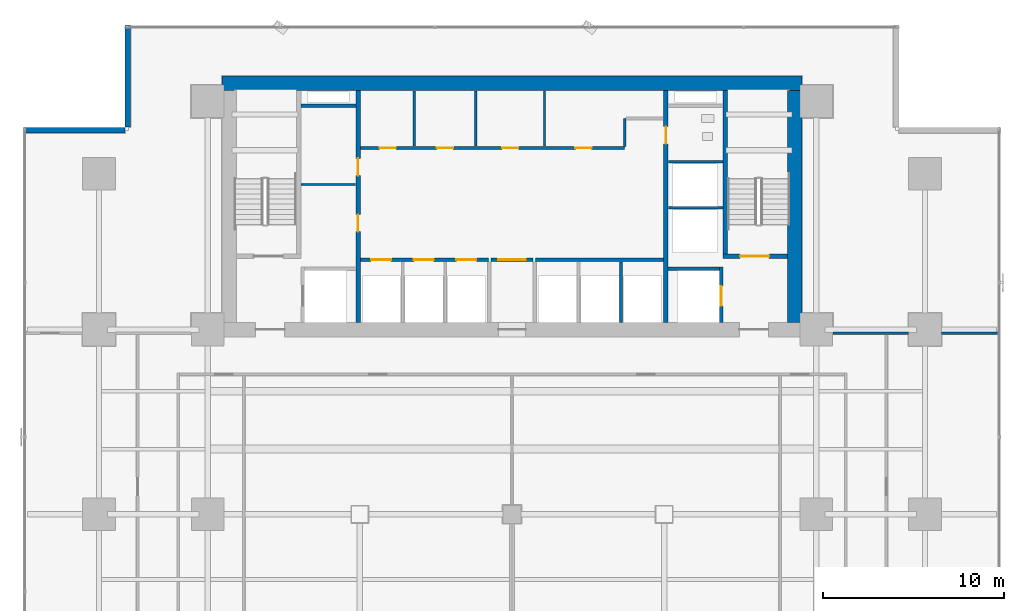
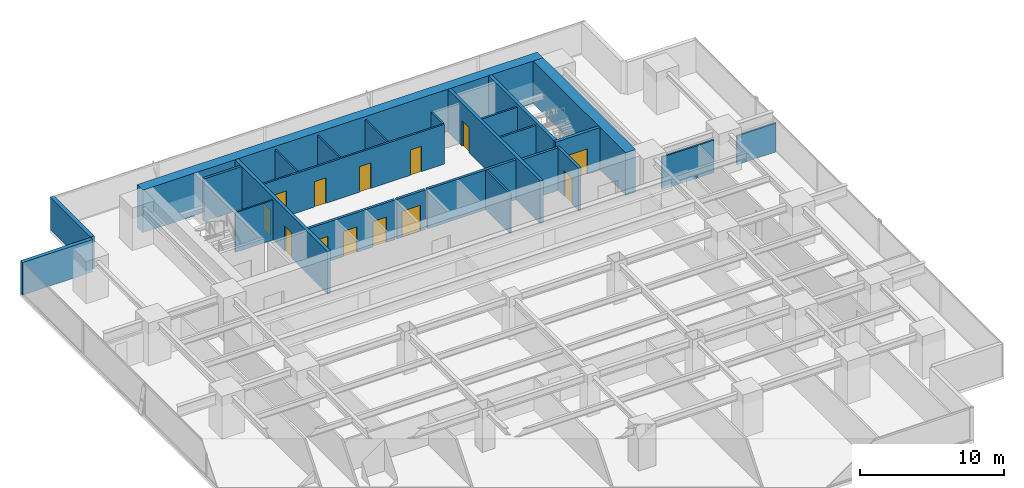
# One storey, part 26 of 34: 25 walls, 13 doors, 13 openings.
"""IFC4 building model written with IfcOpenShell, lengths in metres."""

from ifc_helpers import new_model, si_unit, direction, frame, frame_2d, origin, place, context, subcontext, project, spatial, rectangle, extrude, source, transform, mapped, material, layer, layer_set, type_object, element, fill, save


model = new_model("IFC4")

# Units and contexts
model_context = context("Model", 3, precision=1e-05, world=origin(), true_north=direction((0.0, 1.0)))
body_context = subcontext(model_context, "Body", "Model", "MODEL_VIEW")
ifc_project = project(units=[si_unit("LENGTHUNIT", "METRE"), si_unit("AREAUNIT", "SQUARE_METRE"), si_unit("VOLUMEUNIT", "CUBIC_METRE"), si_unit("PLANEANGLEUNIT", "RADIAN"), si_unit("MASSUNIT", "GRAM", prefix="KILO")], contexts=[model_context])

# Site, building, storey
site_placement = place(None, origin())
site = spatial("IfcSite", under=ifc_project, at=site_placement, CompositionType="ELEMENT")
building_placement = place(site_placement, origin())
building = spatial("IfcBuilding", under=site, at=building_placement, Name="Sumidabori Civic Tower", CompositionType="ELEMENT")
storey_placement = place(building_placement, frame((0.0, 0.0, 41.60009765625)))
storey = spatial("IfcBuildingStorey", under=building, at=storey_placement, Name="L10", CompositionType="ELEMENT", Elevation=41.60009765625)

# Walls
ifc_material_1 = material(Name="Concrete C60/75", Category="concrete")
ifc_layer_1 = layer(ifc_material_1, 0.800048828125, Name="Concrete C60/75")
ifc_layer_set_1 = layer_set([ifc_layer_1], Name="Concrete C60/75")
wall_type_1 = type_object("IfcWallType", Name="WL-CORE-800", PredefinedType="SHEAR", material=ifc_layer_set_1)
shared_shape_1 = source(origin(), body_context, "Body", "SweptSolid", [
    extrude(rectangle(XDim=32.0, YDim=0.800048828125, at=frame_2d((16.0, 0.0))), origin(), (0.0, 0.0, 1.0), 3.599853515625),
])
wall_1_placement = place(storey_placement, frame((-16.0, 23.800048828125, 0.0), z_axis=(0.0, 0.0, 1.0), x_axis=(1.0, 0.0, 0.0)))
element("IfcWall", 1, at=wall_1_placement, inside=storey, type_object=wall_type_1, Name="Core Shear Wall L10 N", PredefinedType="SHEAR", context=body_context, shape_type="MappedRepresentation", body=[
    mapped(shared_shape_1, transform((0.0, 0.0, 0.0), x_axis=(1.0, 0.0, 0.0), y_axis=(0.0, 1.0, 0.0), z_axis=(0.0, 0.0, 1.0), scale=1.0)),
])
shared_shape_2 = source(origin(), body_context, "Body", "SweptSolid", [
    extrude(rectangle(XDim=12.7998046875, YDim=0.800048828125, at=frame_2d((6.39990234375, 0.0))), origin(), (0.0, 0.0, 1.0), 3.599853515625),
])
wall_2_placement = place(storey_placement, frame((15.60009765625, 10.60009765625, 0.0), z_axis=(0.0, 0.0, 1.0), x_axis=(0.0, 1.0, 0.0)))
element("IfcWall", 2, at=wall_2_placement, inside=storey, type_object=wall_type_1, Name="Core Shear Wall L10 E", PredefinedType="SHEAR", context=body_context, shape_type="MappedRepresentation", body=[
    mapped(shared_shape_2, transform((0.0, 0.0, 0.0), x_axis=(1.0, 0.0, 0.0), y_axis=(0.0, 1.0, 0.0), z_axis=(0.0, 0.0, 1.0), scale=1.0)),
])

# Wall, openings, doors
ifc_material_2 = material(Name="Concrete C50/60", Category="concrete")
ifc_layer_2 = layer(ifc_material_2, 0.25, Name="Concrete C50/60")
ifc_layer_set_2 = layer_set([ifc_layer_2], Name="Concrete C50/60")
wall_type_2 = type_object("IfcWallType", Name="WL-SHAFT-250", PredefinedType="SHEAR", material=ifc_layer_set_2)
shared_shape_3 = source(origin(), body_context, "Body", "SweptSolid", [
    extrude(rectangle(XDim=12.7998046875, YDim=0.25, at=frame_2d((6.39990234375, 0.0))), origin(), (0.0, 0.0, 1.0), 3.599853515625),
])
wall_3_placement = place(storey_placement, frame((-8.5, 10.60009765625, 0.0), z_axis=(0.0, 0.0, 1.0), x_axis=(0.0, 1.0, 0.0)))
wall_3 = element("IfcWall", 3, at=wall_3_placement, inside=storey, type_object=wall_type_2, Name="Core Shear Wall L10 WEB-W", PredefinedType="SHEAR", context=body_context, shape_type="MappedRepresentation", body=[
    mapped(shared_shape_3, transform((0.0, 0.0, 0.0), x_axis=(1.0, 0.0, 0.0), y_axis=(0.0, 1.0, 0.0), z_axis=(0.0, 0.0, 1.0), scale=1.0)),
])
opening_1_placement = place(wall_3_placement, frame((5.0, 0.0, 0.0)))
opening_1 = element("IfcOpeningElement", 4, at=opening_1_placement, cuts=wall_3, Name="Opening DR-FD2", PredefinedType="OPENING", context=body_context, shape_type="SweptSolid", body=[
    extrude(rectangle(XDim=0.949951171875, YDim=2.14990234375, at=frame_2d((0.47509765625, 1.074951171875))), frame((0.0, 0.136962890625, 0.0), z_axis=(0.0, -1.0, 0.0), x_axis=(1.0, 0.0, 0.0)), (0.0, 0.0, 1.0), 0.27392578125),
])
opening_2_placement = place(wall_3_placement, frame((8.10009765625, 0.0, 0.0)))
opening_2 = element("IfcOpeningElement", 5, at=opening_2_placement, cuts=wall_3, Name="Opening DR-FD2", PredefinedType="OPENING", context=body_context, shape_type="SweptSolid", body=[
    extrude(rectangle(XDim=0.949951171875, YDim=2.14990234375, at=frame_2d((0.47509765625, 1.074951171875))), frame((0.0, 0.136962890625, 0.0), z_axis=(0.0, -1.0, 0.0), x_axis=(1.0, 0.0, 0.0)), (0.0, 0.0, 1.0), 0.27392578125),
])
ifc_material_3 = material(Name="Steel SN490", Category="steel")
door_type_1 = type_object("IfcDoorType", Name="DR-FD2", OperationType="NOTDEFINED", PredefinedType="DOOR", material=ifc_material_3)
shared_shape_4 = source(origin(), body_context, "Body", "SweptSolid", [
    extrude(rectangle(XDim=0.949951171875, YDim=2.14990234375, at=frame_2d((0.47509765625, 1.074951171875))), frame((0.0, 0.02490234375, 0.0), z_axis=(0.0, -1.0, 0.0), x_axis=(1.0, 0.0, 0.0)), (0.0, 0.0, 1.0), 0.050048828125),
])
door_1_placement = place(opening_1_placement, origin())
door_1 = element("IfcDoor", 6, at=door_1_placement, inside=storey, type_object=door_type_1, Name="Door DR:L10:CW-S1", OperationType="SINGLE_SWING_LEFT", OverallHeight=2.14990234375, OverallWidth=0.949951171875, PredefinedType="DOOR", context=body_context, shape_type="MappedRepresentation", body=[
    mapped(shared_shape_4, transform((0.0, 0.0, 0.0), x_axis=(1.0, 0.0, 0.0), y_axis=(0.0, 1.0, 0.0), z_axis=(0.0, 0.0, 1.0), scale=1.0)),
])
fill(opening_1, door_1)
door_2_placement = place(opening_2_placement, origin())
door_2 = element("IfcDoor", 7, at=door_2_placement, inside=storey, type_object=door_type_1, Name="Door DR:L10:CW-S2", OperationType="SINGLE_SWING_RIGHT", OverallHeight=2.14990234375, OverallWidth=0.949951171875, PredefinedType="DOOR", context=body_context, shape_type="MappedRepresentation", body=[
    mapped(shared_shape_4, transform((0.0, 0.0, 0.0), x_axis=(1.0, 0.0, 0.0), y_axis=(0.0, 1.0, 0.0), z_axis=(0.0, 0.0, 1.0), scale=1.0)),
])
fill(opening_2, door_2)

# Wall, opening, door
wall_4_placement = place(storey_placement, frame((8.5, 10.60009765625, 0.0), z_axis=(0.0, 0.0, 1.0), x_axis=(0.0, 1.0, 0.0)))
wall_4 = element("IfcWall", 8, at=wall_4_placement, inside=storey, type_object=wall_type_2, Name="Core Shear Wall L10 WEB-E", PredefinedType="SHEAR", context=body_context, shape_type="MappedRepresentation", body=[
    mapped(shared_shape_3, transform((0.0, 0.0, 0.0), x_axis=(1.0, 0.0, 0.0), y_axis=(0.0, 1.0, 0.0), z_axis=(0.0, 0.0, 1.0), scale=1.0)),
])
opening_3_placement = place(wall_4_placement, frame((9.85009765625, 0.0, 0.0)))
opening_3 = element("IfcOpeningElement", 9, at=opening_3_placement, cuts=wall_4, Name="Opening DR-2", PredefinedType="OPENING", context=body_context, shape_type="SweptSolid", body=[
    extrude(rectangle(XDim=0.949951171875, YDim=2.14990234375, at=frame_2d((0.47509765625, 1.074951171875))), frame((0.0, 0.136962890625, 0.0), z_axis=(0.0, -1.0, 0.0), x_axis=(1.0, 0.0, 0.0)), (0.0, 0.0, 1.0), 0.27392578125),
])
ifc_material_4 = material(Name="Japanese Hinoki Timber", Category="wood")
door_type_2 = type_object("IfcDoorType", Name="DR-INT-950", OperationType="NOTDEFINED", PredefinedType="DOOR", material=ifc_material_4)
shared_shape_5 = source(origin(), body_context, "Body", "SweptSolid", [
    extrude(rectangle(XDim=0.949951171875, YDim=2.14990234375, at=frame_2d((0.47509765625, 1.074951171875))), frame((0.0, 0.02490234375, 0.0), z_axis=(0.0, -1.0, 0.0), x_axis=(1.0, 0.0, 0.0)), (0.0, 0.0, 1.0), 0.050048828125),
])
door_3_placement = place(opening_3_placement, origin())
door_3 = element("IfcDoor", 10, at=door_3_placement, inside=storey, type_object=door_type_2, Name="Door DR:L10:WC-ACC", OperationType="SINGLE_SWING_RIGHT", OverallHeight=2.14990234375, OverallWidth=0.949951171875, PredefinedType="DOOR", context=body_context, shape_type="MappedRepresentation", body=[
    mapped(shared_shape_5, transform((0.0, 0.0, 0.0), x_axis=(1.0, 0.0, 0.0), y_axis=(0.0, 1.0, 0.0), z_axis=(0.0, 0.0, 1.0), scale=1.0)),
])
fill(opening_3, door_3)

shared_shape_6 = source(origin(), body_context, "Body", "SweptSolid", [
    extrude(rectangle(XDim=3.554931640625, YDim=0.25, at=frame_2d((1.77734375, 0.0))), origin(), (0.0, 0.0, 1.0), 3.599853515625),
])
wall_5_placement = place(storey_placement, frame((11.64501953125, 14.25, 0.0), z_axis=(0.0, 0.0, 1.0), x_axis=(1.0, 0.0, 0.0)))
wall_5 = element("IfcWall", 11, at=wall_5_placement, inside=storey, type_object=wall_type_2, Name="Core Shear Wall L10 ST2-S", PredefinedType="SHEAR", context=body_context, shape_type="MappedRepresentation", body=[
    mapped(shared_shape_6, transform((0.0, 0.0, 0.0), x_axis=(1.0, 0.0, 0.0), y_axis=(0.0, 1.0, 0.0), z_axis=(0.0, 0.0, 1.0), scale=1.0)),
])
opening_4_placement = place(wall_5_placement, frame((0.949951171875, 0.0, 0.0)))
opening_4 = element("IfcOpeningElement", 12, at=opening_4_placement, cuts=wall_5, Name="Opening DR-FD4", PredefinedType="OPENING", context=body_context, shape_type="SweptSolid", body=[
    extrude(rectangle(XDim=1.60009765625, YDim=2.14990234375, at=frame_2d((0.800048828125, 1.074951171875))), frame((0.0, 0.136962890625, 0.0), z_axis=(0.0, -1.0, 0.0), x_axis=(1.0, 0.0, 0.0)), (0.0, 0.0, 1.0), 0.27392578125),
])
door_type_3 = type_object("IfcDoorType", Name="DR-FD4", OperationType="DOUBLE_DOOR_SINGLE_SWING", PredefinedType="DOOR", material=ifc_material_3)
shared_shape_7 = source(origin(), body_context, "Body", "SweptSolid", [
    extrude(rectangle(XDim=1.60009765625, YDim=2.14990234375, at=frame_2d((0.800048828125, 1.074951171875))), frame((0.0, 0.02490234375, 0.0), z_axis=(0.0, -1.0, 0.0), x_axis=(1.0, 0.0, 0.0)), (0.0, 0.0, 1.0), 0.050048828125),
])
door_4_placement = place(opening_4_placement, origin())
door_4 = element("IfcDoor", 13, at=door_4_placement, inside=storey, type_object=door_type_3, Name="Door DR:L10:ST2", OperationType="DOUBLE_DOOR_SINGLE_SWING", OverallHeight=2.14990234375, OverallWidth=1.60009765625, PredefinedType="DOOR", context=body_context, shape_type="MappedRepresentation", body=[
    mapped(shared_shape_7, transform((0.0, 0.0, 0.0), x_axis=(1.0, 0.0, 0.0), y_axis=(0.0, 1.0, 0.0), z_axis=(0.0, 0.0, 1.0), scale=1.0)),
])
fill(opening_4, door_4)

# Wall
shared_shape_8 = source(origin(), body_context, "Body", "SweptSolid", [
    extrude(rectangle(XDim=9.02490234375, YDim=0.25, at=frame_2d((4.512451171875, 0.0))), origin(), (0.0, 0.0, 1.0), 3.599853515625),
])
wall_6_placement = place(storey_placement, frame((11.77001953125, 14.375, 0.0), z_axis=(0.0, 0.0, 1.0), x_axis=(0.0, 1.0, 0.0)))
element("IfcWall", 14, at=wall_6_placement, inside=storey, type_object=wall_type_2, Name="Core Shear Wall L10 ST2-W", PredefinedType="SHEAR", context=body_context, shape_type="MappedRepresentation", body=[
    mapped(shared_shape_8, transform((0.0, 0.0, 0.0), x_axis=(1.0, 0.0, 0.0), y_axis=(0.0, 1.0, 0.0), z_axis=(0.0, 0.0, 1.0), scale=1.0)),
])

# Wall, opening, door
ifc_layer_3 = layer(ifc_material_2, 0.199951171875, Name="Concrete C50/60")
ifc_layer_set_3 = layer_set([ifc_layer_3], Name="Concrete C50/60")
wall_type_3 = type_object("IfcWallType", Name="WL-SHAFT-200", PredefinedType="SHEAR", material=ifc_layer_set_3)
shared_shape_9 = source(origin(), body_context, "Body", "SweptSolid", [
    extrude(rectangle(XDim=3.0498046875, YDim=0.199951171875, at=frame_2d((1.52490234375, 0.0))), origin(), (0.0, 0.0, 1.0), 3.599853515625),
])
wall_7_placement = place(storey_placement, frame((11.550048828125, 10.60009765625, 0.0), z_axis=(0.0, 0.0, 1.0), x_axis=(0.0, 1.0, 0.0)))
wall_7 = element("IfcWall", 15, at=wall_7_placement, inside=storey, type_object=wall_type_3, Name="Core Shear Wall L10 EL2-E", PredefinedType="SHEAR", context=body_context, shape_type="MappedRepresentation", body=[
    mapped(shared_shape_9, transform((0.0, 0.0, 0.0), x_axis=(1.0, 0.0, 0.0), y_axis=(0.0, 1.0, 0.0), z_axis=(0.0, 0.0, 1.0), scale=1.0)),
])
opening_5_placement = place(wall_7_placement, frame((0.89990234375, 0.0, 0.0)))
opening_5 = element("IfcOpeningElement", 16, at=opening_5_placement, cuts=wall_7, Name="Opening LD-2", PredefinedType="OPENING", context=body_context, shape_type="SweptSolid", body=[
    extrude(rectangle(XDim=1.10009765625, YDim=2.14990234375, at=frame_2d((0.550048828125, 1.074951171875))), frame((0.0, 0.11181640625, 0.0), z_axis=(0.0, -1.0, 0.0), x_axis=(1.0, 0.0, 0.0)), (0.0, 0.0, 1.0), 0.223876953125),
])
ifc_material_5 = material(Name="Stainless Steel Hairline Finish", Category="steel")
door_type_4 = type_object("IfcDoorType", Name="DR-LD2", OperationType="DOUBLE_DOOR_SLIDING", PredefinedType="DOOR", material=ifc_material_5)
shared_shape_10 = source(origin(), body_context, "Body", "SweptSolid", [
    extrude(rectangle(XDim=1.10009765625, YDim=2.14990234375, at=frame_2d((0.550048828125, 1.074951171875))), frame((0.0, 0.02490234375, 0.0), z_axis=(0.0, -1.0, 0.0), x_axis=(1.0, 0.0, 0.0)), (0.0, 0.0, 1.0), 0.050048828125),
])
door_5_placement = place(opening_5_placement, origin())
door_5 = element("IfcDoor", 17, at=door_5_placement, inside=storey, type_object=door_type_4, Name="Door DR:L10:LD-EL2", OperationType="DOUBLE_DOOR_SLIDING", OverallHeight=2.14990234375, OverallWidth=1.10009765625, PredefinedType="DOOR", context=body_context, shape_type="MappedRepresentation", body=[
    mapped(shared_shape_10, transform((0.0, 0.0, 0.0), x_axis=(1.0, 0.0, 0.0), y_axis=(0.0, 1.0, 0.0), z_axis=(0.0, 0.0, 1.0), scale=1.0)),
])
fill(opening_5, door_5)

# Walls
shared_shape_11 = source(origin(), body_context, "Body", "SweptSolid", [
    extrude(rectangle(XDim=2.824951171875, YDim=0.199951171875, at=frame_2d((1.41259765625, 0.0))), origin(), (0.0, 0.0, 1.0), 3.599853515625),
])
wall_8_placement = place(storey_placement, frame((8.625, 13.550048828125, 0.0), z_axis=(0.0, 0.0, 1.0), x_axis=(1.0, 0.0, 0.0)))
element("IfcWall", 18, at=wall_8_placement, inside=storey, type_object=wall_type_3, Name="Core Shear Wall L10 EL2-N", PredefinedType="SHEAR", context=body_context, shape_type="MappedRepresentation", body=[
    mapped(shared_shape_11, transform((0.0, 0.0, 0.0), x_axis=(1.0, 0.0, 0.0), y_axis=(0.0, 1.0, 0.0), z_axis=(0.0, 0.0, 1.0), scale=1.0)),
])
shared_shape_12 = source(origin(), body_context, "Body", "SweptSolid", [
    extrude(rectangle(XDim=3.02001953125, YDim=0.199951171875, at=frame_2d((1.510009765625, 0.0))), origin(), (0.0, 0.0, 1.0), 3.599853515625),
])
wall_9_placement = place(storey_placement, frame((-11.64501953125, 22.550048828125, 0.0), z_axis=(0.0, 0.0, 1.0), x_axis=(1.0, 0.0, 0.0)))
element("IfcWall", 19, at=wall_9_placement, inside=storey, type_object=wall_type_3, Name="Core Shear Wall L10 RIS1-S", PredefinedType="SHEAR", context=body_context, shape_type="MappedRepresentation", body=[
    mapped(shared_shape_12, transform((0.0, 0.0, 0.0), x_axis=(1.0, 0.0, 0.0), y_axis=(0.0, 1.0, 0.0), z_axis=(0.0, 0.0, 1.0), scale=1.0)),
])
ifc_material_6 = material(Name="Precast concrete C40/50", Category="concrete")
ifc_layer_4 = layer(ifc_material_6, 0.300048828125, Name="Precast concrete C40/50")
ifc_layer_set_4 = layer_set([ifc_layer_4], Name="Precast concrete C40/50")
wall_type_4 = type_object("IfcWallType", Name="WL-EXT-POD300", PredefinedType="STANDARD", material=ifc_layer_set_4)
shared_shape_13 = source(origin(), body_context, "Body", "SweptSolid", [
    extrude(rectangle(XDim=5.60986328125, YDim=0.300048828125, at=frame_2d((2.804931640625, 0.0))), origin(), (0.0, 0.0, 1.0), 2.739990234375),
])
for number, where, z_axis, x_axis, name in (
    (20, (-21.199951171875, 26.97998046875, 0.0), (0.0, 0.0, 1.0), (0.0, -1.0, 0.0), "Notched Corner Spandrel Band L10-08"),
    (21, (-21.3701171875, 21.199951171875, 0.0), (0.0, 0.0, 1.0), (-1.0, 0.0, 0.0), "Notched Corner Spandrel Band L10-09"),
):
    element("IfcWall", number, at=place(storey_placement, frame(where, z_axis=z_axis, x_axis=x_axis)), inside=storey, type_object=wall_type_4, Name=name, PredefinedType="STANDARD", context=body_context, shape_type="MappedRepresentation", body=[
        mapped(shared_shape_13, transform((0.0, 0.0, 0.0), x_axis=(1.0, 0.0, 0.0), y_axis=(0.0, 1.0, 0.0), z_axis=(0.0, 0.0, 1.0), scale=1.0)),
    ])
ifc_material_7 = material(Name="Gypsum Plasterboard Acoustic Partition")
ifc_layer_5 = layer(ifc_material_7, 0.14990234375, Name="Gypsum Plasterboard Acoustic Partition")
ifc_layer_set_5 = layer_set([ifc_layer_5], Name="Gypsum Plasterboard Acoustic Partition")
wall_type_5 = type_object("IfcWallType", Name="WL-PART-150", PredefinedType="PARTITIONING", material=ifc_layer_set_5)
shared_shape_14 = source(origin(), body_context, "Body", "SweptSolid", [
    extrude(rectangle(XDim=3.010009765625, YDim=0.14990234375, at=frame_2d((1.5048828125, 0.0))), origin(), (0.0, 0.0, 1.0), 3.35986328125),
])
for number, where, z_axis, x_axis, name in (
    (22, (8.6298828125, 16.919921875, 0.0), (0.0, 0.0, 1.0), (1.0, 0.0, 0.0), "Interior Partition WL:L10:DIV-OBS1"),
    (23, (8.6298828125, 19.469970703125, 0.0), (0.0, 0.0, 1.0), (1.0, 0.0, 0.0), "Interior Partition WL:L10:DIV-OBS2"),
):
    element("IfcWall", number, at=place(storey_placement, frame(where, z_axis=z_axis, x_axis=x_axis)), inside=storey, type_object=wall_type_5, Name=name, PredefinedType="PARTITIONING", context=body_context, shape_type="MappedRepresentation", body=[
        mapped(shared_shape_14, transform((0.0, 0.0, 0.0), x_axis=(1.0, 0.0, 0.0), y_axis=(0.0, 1.0, 0.0), z_axis=(0.0, 0.0, 1.0), scale=1.0)),
    ])

# Wall, openings, doors
ifc_material_8 = material(Name="Gypsum Plasterboard Fire Partition")
ifc_layer_6 = layer(ifc_material_8, 0.199951171875, Name="Gypsum Plasterboard Fire Partition")
ifc_layer_set_6 = layer_set([ifc_layer_6], Name="Gypsum Plasterboard Fire Partition")
wall_type_6 = type_object("IfcWallType", Name="WL-PART-FIRE", PredefinedType="PARTITIONING", material=ifc_layer_set_6)
shared_shape_15 = source(origin(), body_context, "Body", "SweptSolid", [
    extrude(rectangle(XDim=7.070068359375, YDim=0.199951171875, at=frame_2d((3.53515625, 0.0))), origin(), (0.0, 0.0, 1.0), 3.35986328125),
])
wall_10_placement = place(storey_placement, frame((-8.3701171875, 14.050048828125, 0.0), z_axis=(0.0, 0.0, 1.0), x_axis=(1.0, 0.0, 0.0)))
wall_10 = element("IfcWall", 24, at=wall_10_placement, inside=storey, type_object=wall_type_6, Name="Interior Partition WL:L10:CBAND-SW", PredefinedType="PARTITIONING", context=body_context, shape_type="MappedRepresentation", body=[
    mapped(shared_shape_15, transform((0.0, 0.0, 0.0), x_axis=(1.0, 0.0, 0.0), y_axis=(0.0, 1.0, 0.0), z_axis=(0.0, 0.0, 1.0), scale=1.0)),
])
opening_6_placement = place(wall_10_placement, frame((0.60009765625, 0.0, 0.0)))
opening_6 = element("IfcOpeningElement", 25, at=opening_6_placement, cuts=wall_10, Name="Opening LD-1", PredefinedType="OPENING", context=body_context, shape_type="SweptSolid", body=[
    extrude(rectangle(XDim=1.10009765625, YDim=2.14990234375, at=frame_2d((0.550048828125, 1.074951171875))), frame((0.0, 0.11181640625, 0.0), z_axis=(0.0, -1.0, 0.0), x_axis=(1.0, 0.0, 0.0)), (0.0, 0.0, 1.0), 0.223876953125),
])
opening_7_placement = place(wall_10_placement, frame((2.949951171875, 0.0, 0.0)))
opening_7 = element("IfcOpeningElement", 26, at=opening_7_placement, cuts=wall_10, Name="Opening LD-1", PredefinedType="OPENING", context=body_context, shape_type="SweptSolid", body=[
    extrude(rectangle(XDim=1.10009765625, YDim=2.14990234375, at=frame_2d((0.550048828125, 1.074951171875))), frame((0.0, 0.11181640625, 0.0), z_axis=(0.0, -1.0, 0.0), x_axis=(1.0, 0.0, 0.0)), (0.0, 0.0, 1.0), 0.223876953125),
])
opening_8_placement = place(wall_10_placement, frame((5.300048828125, 0.0, 0.0)))
opening_8 = element("IfcOpeningElement", 27, at=opening_8_placement, cuts=wall_10, Name="Opening LD-1", PredefinedType="OPENING", context=body_context, shape_type="SweptSolid", body=[
    extrude(rectangle(XDim=1.10009765625, YDim=2.14990234375, at=frame_2d((0.550048828125, 1.074951171875))), frame((0.0, 0.11181640625, 0.0), z_axis=(0.0, -1.0, 0.0), x_axis=(1.0, 0.0, 0.0)), (0.0, 0.0, 1.0), 0.223876953125),
])
door_type_5 = type_object("IfcDoorType", Name="DR-LD1", OperationType="DOUBLE_DOOR_SLIDING", PredefinedType="DOOR", material=ifc_material_5)
door_6_placement = place(opening_6_placement, origin())
door_6 = element("IfcDoor", 28, at=door_6_placement, inside=storey, type_object=door_type_5, Name="Door DR:L10:LD-PLL1", OperationType="DOUBLE_DOOR_SLIDING", OverallHeight=2.14990234375, OverallWidth=1.10009765625, PredefinedType="DOOR", context=body_context, shape_type="MappedRepresentation", body=[
    mapped(shared_shape_10, transform((0.0, 0.0, 0.0), x_axis=(1.0, 0.0, 0.0), y_axis=(0.0, 1.0, 0.0), z_axis=(0.0, 0.0, 1.0), scale=1.0)),
])
fill(opening_6, door_6)
door_7_placement = place(opening_7_placement, origin())
door_7 = element("IfcDoor", 29, at=door_7_placement, inside=storey, type_object=door_type_5, Name="Door DR:L10:LD-PLL2", OperationType="DOUBLE_DOOR_SLIDING", OverallHeight=2.14990234375, OverallWidth=1.10009765625, PredefinedType="DOOR", context=body_context, shape_type="MappedRepresentation", body=[
    mapped(shared_shape_10, transform((0.0, 0.0, 0.0), x_axis=(1.0, 0.0, 0.0), y_axis=(0.0, 1.0, 0.0), z_axis=(0.0, 0.0, 1.0), scale=1.0)),
])
fill(opening_7, door_7)
door_8_placement = place(opening_8_placement, origin())
door_8 = element("IfcDoor", 30, at=door_8_placement, inside=storey, type_object=door_type_5, Name="Door DR:L10:LD-PLL3", OperationType="DOUBLE_DOOR_SLIDING", OverallHeight=2.14990234375, OverallWidth=1.10009765625, PredefinedType="DOOR", context=body_context, shape_type="MappedRepresentation", body=[
    mapped(shared_shape_10, transform((0.0, 0.0, 0.0), x_axis=(1.0, 0.0, 0.0), y_axis=(0.0, 1.0, 0.0), z_axis=(0.0, 0.0, 1.0), scale=1.0)),
])
fill(opening_8, door_8)

# Wall
wall_11_placement = place(storey_placement, frame((1.300048828125, 14.050048828125, 0.0), z_axis=(0.0, 0.0, 1.0), x_axis=(1.0, 0.0, 0.0)))
element("IfcWall", 31, at=wall_11_placement, inside=storey, type_object=wall_type_6, Name="Interior Partition WL:L10:CBAND-SE", PredefinedType="PARTITIONING", context=body_context, shape_type="MappedRepresentation", body=[
    mapped(shared_shape_15, transform((0.0, 0.0, 0.0), x_axis=(1.0, 0.0, 0.0), y_axis=(0.0, 1.0, 0.0), z_axis=(0.0, 0.0, 1.0), scale=1.0)),
])

# Wall, opening, door
shared_shape_16 = source(origin(), body_context, "Body", "SweptSolid", [
    extrude(rectangle(XDim=2.2998046875, YDim=0.199951171875, at=frame_2d((1.14990234375, 0.0))), origin(), (0.0, 0.0, 1.0), 3.35986328125),
])
wall_12_placement = place(storey_placement, frame((-1.14990234375, 14.050048828125, 0.0), z_axis=(0.0, 0.0, 1.0), x_axis=(1.0, 0.0, 0.0)))
wall_12 = element("IfcWall", 32, at=wall_12_placement, inside=storey, type_object=wall_type_6, Name="Interior Partition WL:L10:THROAT-N", PredefinedType="PARTITIONING", context=body_context, shape_type="MappedRepresentation", body=[
    mapped(shared_shape_16, transform((0.0, 0.0, 0.0), x_axis=(1.0, 0.0, 0.0), y_axis=(0.0, 1.0, 0.0), z_axis=(0.0, 0.0, 1.0), scale=1.0)),
])
opening_9_placement = place(wall_12_placement, frame((0.39990234375, 0.0, 0.0)))
opening_9 = element("IfcOpeningElement", 33, at=opening_9_placement, cuts=wall_12, Name="Opening DR-FD3", PredefinedType="OPENING", context=body_context, shape_type="SweptSolid", body=[
    extrude(rectangle(XDim=1.5, YDim=2.199951171875, at=frame_2d((0.75, 1.10009765625))), frame((0.0, 0.11181640625, 0.0), z_axis=(0.0, -1.0, 0.0), x_axis=(1.0, 0.0, 0.0)), (0.0, 0.0, 1.0), 0.223876953125),
])
door_type_6 = type_object("IfcDoorType", Name="DR-FD-DBL", OperationType="DOUBLE_DOOR_SINGLE_SWING", PredefinedType="DOOR", material=ifc_material_3)
shared_shape_17 = source(origin(), body_context, "Body", "SweptSolid", [
    extrude(rectangle(XDim=1.5, YDim=2.199951171875, at=frame_2d((0.75, 1.10009765625))), frame((0.0, 0.02490234375, 0.0), z_axis=(0.0, -1.0, 0.0), x_axis=(1.0, 0.0, 0.0)), (0.0, 0.0, 1.0), 0.050048828125),
])
door_9_placement = place(opening_9_placement, origin())
door_9 = element("IfcDoor", 34, at=door_9_placement, inside=storey, type_object=door_type_6, Name="Door DR:L10:THROAT-IN", OperationType="DOUBLE_DOOR_SINGLE_SWING", OverallHeight=2.199951171875, OverallWidth=1.5, PredefinedType="DOOR", context=body_context, shape_type="MappedRepresentation", body=[
    mapped(shared_shape_17, transform((0.0, 0.0, 0.0), x_axis=(1.0, 0.0, 0.0), y_axis=(0.0, 1.0, 0.0), z_axis=(0.0, 0.0, 1.0), scale=1.0)),
])
fill(opening_9, door_9)

# Wall, openings, doors
shared_shape_18 = source(origin(), body_context, "Body", "SweptSolid", [
    extrude(rectangle(XDim=14.590087890625, YDim=0.14990234375, at=frame_2d((7.294921875, 0.0))), origin(), (0.0, 0.0, 1.0), 3.35986328125),
])
wall_13_placement = place(storey_placement, frame((-8.3701171875, 20.219970703125, 0.0), z_axis=(0.0, 0.0, 1.0), x_axis=(1.0, 0.0, 0.0)))
wall_13 = element("IfcWall", 35, at=wall_13_placement, inside=storey, type_object=wall_type_5, Name="Interior Partition WL:L10:CBAND-M", PredefinedType="PARTITIONING", context=body_context, shape_type="MappedRepresentation", body=[
    mapped(shared_shape_18, transform((0.0, 0.0, 0.0), x_axis=(1.0, 0.0, 0.0), y_axis=(0.0, 1.0, 0.0), z_axis=(0.0, 0.0, 1.0), scale=1.0)),
])
opening_10_placement = place(wall_13_placement, frame((1.06005859375, 0.0, 0.0)))
opening_10 = element("IfcOpeningElement", 36, at=opening_10_placement, cuts=wall_13, Name="Opening DR-1", PredefinedType="OPENING", context=body_context, shape_type="SweptSolid", body=[
    extrude(rectangle(XDim=0.89990234375, YDim=2.14990234375, at=frame_2d((0.449951171875, 1.074951171875))), frame((0.0, 0.0869140625, 0.0), z_axis=(0.0, -1.0, 0.0), x_axis=(1.0, 0.0, 0.0)), (0.0, 0.0, 1.0), 0.173828125),
])
opening_11_placement = place(wall_13_placement, frame((4.219970703125, 0.0, 0.0)))
opening_11 = element("IfcOpeningElement", 37, at=opening_11_placement, cuts=wall_13, Name="Opening DR-1", PredefinedType="OPENING", context=body_context, shape_type="SweptSolid", body=[
    extrude(rectangle(XDim=0.89990234375, YDim=2.14990234375, at=frame_2d((0.449951171875, 1.074951171875))), frame((0.0, 0.0869140625, 0.0), z_axis=(0.0, -1.0, 0.0), x_axis=(1.0, 0.0, 0.0)), (0.0, 0.0, 1.0), 0.173828125),
])
opening_12_placement = place(wall_13_placement, frame((7.820068359375, 0.0, 0.0)))
opening_12 = element("IfcOpeningElement", 38, at=opening_12_placement, cuts=wall_13, Name="Opening DR-1", PredefinedType="OPENING", context=body_context, shape_type="SweptSolid", body=[
    extrude(rectangle(XDim=0.89990234375, YDim=2.14990234375, at=frame_2d((0.449951171875, 1.074951171875))), frame((0.0, 0.0869140625, 0.0), z_axis=(0.0, -1.0, 0.0), x_axis=(1.0, 0.0, 0.0)), (0.0, 0.0, 1.0), 0.173828125),
])
opening_13_placement = place(wall_13_placement, frame((11.8701171875, 0.0, 0.0)))
opening_13 = element("IfcOpeningElement", 39, at=opening_13_placement, cuts=wall_13, Name="Opening DR-1", PredefinedType="OPENING", context=body_context, shape_type="SweptSolid", body=[
    extrude(rectangle(XDim=0.89990234375, YDim=2.14990234375, at=frame_2d((0.449951171875, 1.074951171875))), frame((0.0, 0.0869140625, 0.0), z_axis=(0.0, -1.0, 0.0), x_axis=(1.0, 0.0, 0.0)), (0.0, 0.0, 1.0), 0.173828125),
])
door_type_7 = type_object("IfcDoorType", Name="DR-INT-900", OperationType="NOTDEFINED", PredefinedType="DOOR", material=ifc_material_4)
shared_shape_19 = source(origin(), body_context, "Body", "SweptSolid", [
    extrude(rectangle(XDim=0.89990234375, YDim=2.14990234375, at=frame_2d((0.449951171875, 1.074951171875))), frame((0.0, 0.02490234375, 0.0), z_axis=(0.0, -1.0, 0.0), x_axis=(1.0, 0.0, 0.0)), (0.0, 0.0, 1.0), 0.050048828125),
])
door_10_placement = place(opening_10_placement, origin())
door_10 = element("IfcDoor", 40, at=door_10_placement, inside=storey, type_object=door_type_7, Name="Door DR:L10:CB-1", OperationType="SINGLE_SWING_LEFT", OverallHeight=2.14990234375, OverallWidth=0.89990234375, PredefinedType="DOOR", context=body_context, shape_type="MappedRepresentation", body=[
    mapped(shared_shape_19, transform((0.0, 0.0, 0.0), x_axis=(1.0, 0.0, 0.0), y_axis=(0.0, 1.0, 0.0), z_axis=(0.0, 0.0, 1.0), scale=1.0)),
])
fill(opening_10, door_10)
door_11_placement = place(opening_11_placement, origin())
door_11 = element("IfcDoor", 41, at=door_11_placement, inside=storey, type_object=door_type_7, Name="Door DR:L10:CB-2", OperationType="SINGLE_SWING_RIGHT", OverallHeight=2.14990234375, OverallWidth=0.89990234375, PredefinedType="DOOR", context=body_context, shape_type="MappedRepresentation", body=[
    mapped(shared_shape_19, transform((0.0, 0.0, 0.0), x_axis=(1.0, 0.0, 0.0), y_axis=(0.0, 1.0, 0.0), z_axis=(0.0, 0.0, 1.0), scale=1.0)),
])
fill(opening_11, door_11)
door_12_placement = place(opening_12_placement, origin())
door_12 = element("IfcDoor", 42, at=door_12_placement, inside=storey, type_object=door_type_7, Name="Door DR:L10:CB-3", OperationType="SINGLE_SWING_LEFT", OverallHeight=2.14990234375, OverallWidth=0.89990234375, PredefinedType="DOOR", context=body_context, shape_type="MappedRepresentation", body=[
    mapped(shared_shape_19, transform((0.0, 0.0, 0.0), x_axis=(1.0, 0.0, 0.0), y_axis=(0.0, 1.0, 0.0), z_axis=(0.0, 0.0, 1.0), scale=1.0)),
])
fill(opening_12, door_12)
door_13_placement = place(opening_13_placement, origin())
door_13 = element("IfcDoor", 43, at=door_13_placement, inside=storey, type_object=door_type_7, Name="Door DR:L10:CB-4", OperationType="SINGLE_SWING_RIGHT", OverallHeight=2.14990234375, OverallWidth=0.89990234375, PredefinedType="DOOR", context=body_context, shape_type="MappedRepresentation", body=[
    mapped(shared_shape_19, transform((0.0, 0.0, 0.0), x_axis=(1.0, 0.0, 0.0), y_axis=(0.0, 1.0, 0.0), z_axis=(0.0, 0.0, 1.0), scale=1.0)),
])
fill(opening_13, door_13)

# Walls
shared_shape_20 = source(origin(), body_context, "Body", "SweptSolid", [
    extrude(rectangle(XDim=1.550048828125, YDim=0.14990234375, at=frame_2d((0.77490234375, 0.0))), origin(), (0.0, 0.0, 1.0), 3.35986328125),
])
wall_14_placement = place(storey_placement, frame((6.219970703125, 20.300048828125, 0.0), z_axis=(0.0, 0.0, 1.0), x_axis=(0.0, 1.0, 0.0)))
element("IfcWall", 44, at=wall_14_placement, inside=storey, type_object=wall_type_5, Name="Interior Partition WL:L10:CBAND-ME1", PredefinedType="PARTITIONING", context=body_context, shape_type="MappedRepresentation", body=[
    mapped(shared_shape_20, transform((0.0, 0.0, 0.0), x_axis=(1.0, 0.0, 0.0), y_axis=(0.0, 1.0, 0.0), z_axis=(0.0, 0.0, 1.0), scale=1.0)),
])
shared_shape_21 = source(origin(), body_context, "Body", "SweptSolid", [
    extrude(rectangle(XDim=3.33984375, YDim=0.14990234375, at=frame_2d((1.669921875, 0.0))), origin(), (0.0, 0.0, 1.0), 3.35986328125),
])
wall_15_placement = place(storey_placement, frame((6.02001953125, 10.60009765625, 0.0), z_axis=(0.0, 0.0, 1.0), x_axis=(0.0, 1.0, 0.0)))
element("IfcWall", 45, at=wall_15_placement, inside=storey, type_object=wall_type_5, Name="Interior Partition WL:L10:DIV-PLM2", PredefinedType="PARTITIONING", context=body_context, shape_type="MappedRepresentation", body=[
    mapped(shared_shape_21, transform((0.0, 0.0, 0.0), x_axis=(1.0, 0.0, 0.0), y_axis=(0.0, 1.0, 0.0), z_axis=(0.0, 0.0, 1.0), scale=1.0)),
])
ifc_layer_7 = layer(ifc_material_7, 0.1201171875, Name="Gypsum Plasterboard Acoustic Partition")
ifc_layer_set_7 = layer_set([ifc_layer_7], Name="Gypsum Plasterboard Acoustic Partition")
wall_type_7 = type_object("IfcWallType", Name="WL-PART-120", PredefinedType="PARTITIONING", material=ifc_layer_set_7)
shared_shape_22 = source(origin(), body_context, "Body", "SweptSolid", [
    extrude(rectangle(XDim=3.0400390625, YDim=0.1201171875, at=frame_2d((1.52001953125, 0.0))), origin(), (0.0, 0.0, 1.0), 3.35986328125),
])
for number, where, z_axis, x_axis, name in (
    (46, (-5.39990234375, 20.320068359375, 0.0), (0.0, 0.0, 1.0), (0.0, 1.0, 0.0), "Interior Partition WL:L10:LV8-S1"),
    (47, (-2.0, 20.320068359375, 0.0), (0.0, 0.0, 1.0), (0.0, 1.0, 0.0), "Interior Partition WL:L10:LV8-S2"),
    (48, (1.800048828125, 20.320068359375, 0.0), (0.0, 0.0, 1.0), (0.0, 1.0, 0.0), "Interior Partition WL:L10:LV8-S3"),
):
    element("IfcWall", number, at=place(storey_placement, frame(where, z_axis=z_axis, x_axis=x_axis)), inside=storey, type_object=wall_type_7, Name=name, PredefinedType="PARTITIONING", context=body_context, shape_type="MappedRepresentation", body=[
        mapped(shared_shape_22, transform((0.0, 0.0, 0.0), x_axis=(1.0, 0.0, 0.0), y_axis=(0.0, 1.0, 0.0), z_axis=(0.0, 0.0, 1.0), scale=1.0)),
    ])
shared_shape_23 = source(origin(), body_context, "Body", "SweptSolid", [
    extrude(rectangle(XDim=3.010009765625, YDim=0.1201171875, at=frame_2d((1.5048828125, 0.0))), origin(), (0.0, 0.0, 1.0), 3.35986328125),
])
wall_16_placement = place(storey_placement, frame((-11.639892578125, 18.199951171875, 0.0), z_axis=(0.0, 0.0, 1.0), x_axis=(1.0, 0.0, 0.0)))
element("IfcWall", 49, at=wall_16_placement, inside=storey, type_object=wall_type_7, Name="Interior Partition WL:L10:CW-MID", PredefinedType="PARTITIONING", context=body_context, shape_type="MappedRepresentation", body=[
    mapped(shared_shape_23, transform((0.0, 0.0, 0.0), x_axis=(1.0, 0.0, 0.0), y_axis=(0.0, 1.0, 0.0), z_axis=(0.0, 0.0, 1.0), scale=1.0)),
])
ifc_layer_8 = layer(ifc_material_7, 0.135009765625, Name="Gypsum Plasterboard Acoustic Partition")
ifc_layer_set_8 = layer_set([ifc_layer_8], Name="Gypsum Plasterboard Acoustic Partition")
wall_type_8 = type_object("IfcWallType", Name="WL-PART-135", PredefinedType="PARTITIONING", material=ifc_layer_set_8)
shared_shape_24 = source(origin(), body_context, "Body", "SweptSolid", [
    extrude(rectangle(XDim=3.14013671875, YDim=0.135009765625, at=frame_2d((1.570068359375, 0.0))), origin(), (0.0, 0.0, 1.0), 2.434814453125),
])
wall_17_placement = place(storey_placement, frame((23.7099609375, 10.0, 0.0), z_axis=(0.0, 0.0, 1.0), x_axis=(1.0, 0.0, 0.0)))
element("IfcWall", 50, at=wall_17_placement, inside=storey, type_object=wall_type_8, Name="Interior Partition WL:L10:FLK-NE-2", PredefinedType="PARTITIONING", context=body_context, shape_type="MappedRepresentation", body=[
    mapped(shared_shape_24, transform((0.0, 0.0, 0.0), x_axis=(1.0, 0.0, 0.0), y_axis=(0.0, 1.0, 0.0), z_axis=(0.0, 0.0, 1.0), scale=1.0)),
])
shared_shape_25 = source(origin(), body_context, "Body", "SweptSolid", [
    extrude(rectangle(XDim=4.179931640625, YDim=0.135009765625, at=frame_2d((2.08984375, 0.0))), origin(), (0.0, 0.0, 1.0), 2.744873046875),
])
wall_18_placement = place(storey_placement, frame((17.7099609375, 10.0, 0.0), z_axis=(0.0, 0.0, 1.0), x_axis=(1.0, 0.0, 0.0)))
element("IfcWall", 51, at=wall_18_placement, inside=storey, type_object=wall_type_8, Name="Interior Partition WL:L10:FLK-NE-1", PredefinedType="PARTITIONING", context=body_context, shape_type="MappedRepresentation", body=[
    mapped(shared_shape_25, transform((0.0, 0.0, 0.0), x_axis=(1.0, 0.0, 0.0), y_axis=(0.0, 1.0, 0.0), z_axis=(0.0, 0.0, 1.0), scale=1.0)),
])

save(model, "model.ifc")
